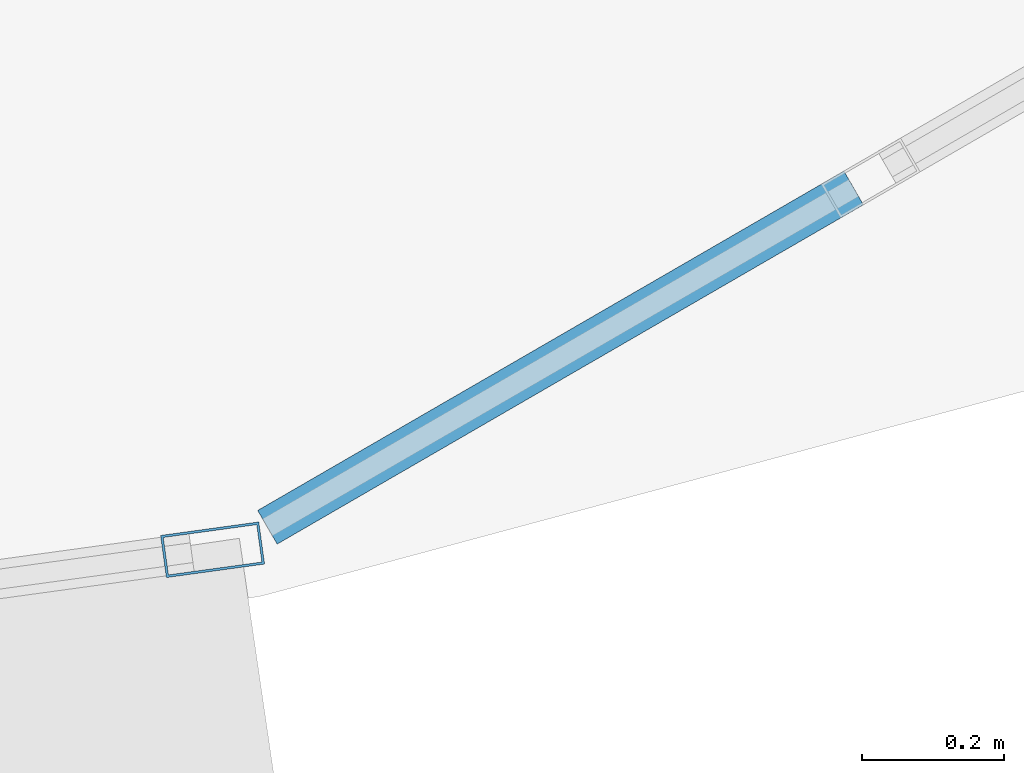
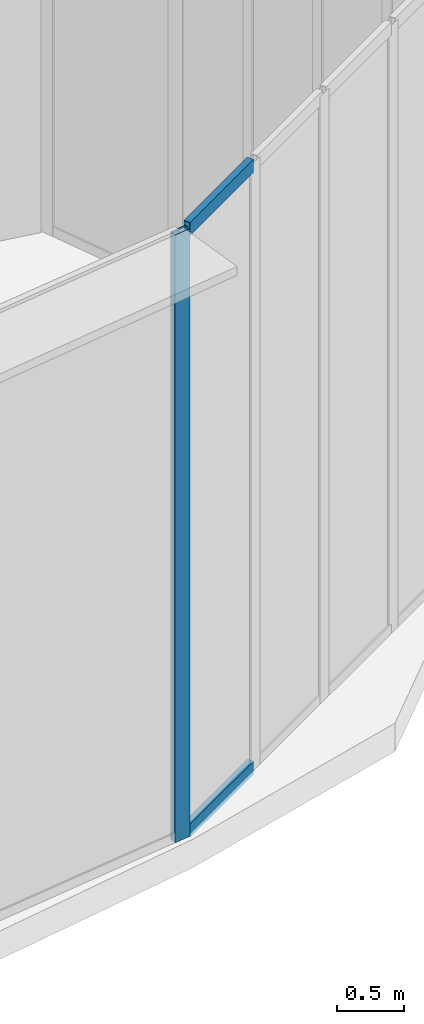
# One storey, part 14 of 38: 3 members, 2 elements without a shape of their own.
"""IFC4 building model written with IfcOpenShell, lengths in metres."""

from ifc_helpers import new_model, si_unit, direction, frame, origin, origin_2d, place, context, subcontext, project, spatial, hollow_rectangle, extrude, source, transform, mapped, material, layer, layer_set, material_profile, profile_set, type_object, element, aggregate, save


model = new_model("IFC4")

# Units and contexts
model_context = context("Model", 3, precision=1e-05, world=origin(), true_north=direction((0.0, 1.0)))
body_context = subcontext(model_context, "Body", "Model", "MODEL_VIEW")
ifc_project = project(units=[si_unit("LENGTHUNIT", "METRE"), si_unit("AREAUNIT", "SQUARE_METRE"), si_unit("VOLUMEUNIT", "CUBIC_METRE"), si_unit("PLANEANGLEUNIT", "RADIAN"), si_unit("MASSUNIT", "GRAM", prefix="KILO"), si_unit("THERMODYNAMICTEMPERATUREUNIT", "KELVIN"), si_unit("POWERUNIT", "WATT")], contexts=[model_context])

# Site, building, storey
site_placement = place(None, origin())
site = spatial("IfcSite", under=ifc_project, at=site_placement, CompositionType="ELEMENT")
building_placement = place(site_placement, origin())
building = spatial("IfcBuilding", under=site, at=building_placement, Name="Yunzhuo Pagoda Commons", CompositionType="ELEMENT")
storey_placement = place(building_placement, frame((0.0, 0.0, 266.909912109375)))
storey = spatial("IfcBuildingStorey", under=building, at=storey_placement, Name="L67", CompositionType="ELEMENT", Elevation=266.909912109375)

# Curtain wall, members
ifc_material = material(Name="Anodized aluminium 6063-T6", Category="aluminium")
ifc_layer_1 = layer(ifc_material, 0.1298828125)
ifc_layer_set_1 = layer_set([ifc_layer_1], Name="Anodized aluminium 6063-T6")
curtain_wall_type_1 = type_object("IfcCurtainWallType", Name="CW-VTX Rounded Corner Curtain Wall", PredefinedType="NOTDEFINED", material=ifc_layer_set_1)
curtain_wall_1_placement = place(storey_placement, origin())
curtain_wall_1 = element("IfcCurtainWall", 1, at=curtain_wall_1_placement, inside=storey, type_object=curtain_wall_type_1, Name="L67 curtain wall CW-L67-VTX2S1", PredefinedType="NOTDEFINED")
ifc_material_profile_1 = material_profile(ifc_material, hollow_rectangle(XDim=0.054931640625, YDim=0.1201171875, WallThickness=0.00341796875, at=origin_2d()), Name="Anodized aluminium 6063-T6")
ifc_profile_set_1 = profile_set([ifc_material_profile_1], Name="Anodized aluminium 6063-T6")
member_type_1 = type_object("IfcMemberType", Name="CW-VTX-T Transom RHS 120x55x3.5", PredefinedType="USERDEFINED", material=ifc_profile_set_1)
shared_shape_1 = source(origin(), body_context, "Body", "SweptSolid", [
    extrude(hollow_rectangle(XDim=0.054931640625, YDim=0.1201171875, WallThickness=0.00341796875, at=origin_2d()), origin(), (0.0, 0.0, 1.0), 0.955810546875),
])
member_1_placement = place(storey_placement, frame((77.974609375, 20.451171875, 0.027587890625), z_axis=(0.86547874954, 0.50094563986, 0.0), x_axis=(-0.50094563986, 0.86547874954, 0.0)))
member_1 = element("IfcMember", 2, at=member_1_placement, type_object=member_type_1, Name="CW transom 1.1", ObjectType="TRANSOM", PredefinedType="USERDEFINED", context=body_context, shape_type="MappedRepresentation", body=[
    mapped(shared_shape_1, transform((0.0, 0.0, 0.0), scale=1.0)),
])
member_2_placement = place(storey_placement, frame((77.974609375, 20.451171875, 5.54248046875), z_axis=(0.86547874954, 0.50094563986, 0.0), x_axis=(-0.50094563986, 0.86547874954, 0.0)))
member_2 = element("IfcMember", 3, at=member_2_placement, type_object=member_type_1, Name="CW transom 1.2", ObjectType="TRANSOM", PredefinedType="USERDEFINED", context=body_context, shape_type="MappedRepresentation", body=[
    mapped(shared_shape_1, transform((0.0, 0.0, 0.0), scale=1.0)),
])
aggregate(curtain_wall_1, [member_1, member_2])

# Curtain wall, member
ifc_layer_2 = layer(ifc_material, 0.139892578125)
ifc_layer_set_2 = layer_set([ifc_layer_2], Name="Anodized aluminium 6063-T6")
curtain_wall_type_2 = type_object("IfcCurtainWallType", Name="CW-HI High-Zone Ribbon Curtain Wall", PredefinedType="NOTDEFINED", material=ifc_layer_set_2)
curtain_wall_2_placement = place(storey_placement, origin())
curtain_wall_2 = element("IfcCurtainWall", 4, at=curtain_wall_2_placement, inside=storey, type_object=curtain_wall_type_2, Name="L67 curtain wall CW-L67-F1B5", PredefinedType="NOTDEFINED")
ifc_material_profile_2 = material_profile(ifc_material, hollow_rectangle(XDim=0.06005859375, YDim=0.139892578125, WallThickness=0.00341796875, at=origin_2d()), Name="Anodized aluminium 6063-T6")
ifc_profile_set_2 = profile_set([ifc_material_profile_2], Name="Anodized aluminium 6063-T6")
member_type_2 = type_object("IfcMemberType", Name="CW-HI-M Mullion RHS 140x60x3.5", PredefinedType="MULLION", material=ifc_profile_set_2)
shared_shape_2 = source(origin(), body_context, "Body", "SweptSolid", [
    extrude(hollow_rectangle(XDim=0.06005859375, YDim=0.139892578125, WallThickness=0.00341796875, at=origin_2d()), origin(), (0.0, 0.0, 1.0), 5.5703125),
])
member_3_placement = place(storey_placement, frame((77.897216796875, 20.41943359375, 0.0), z_axis=(0.0, 0.0, 1.0), x_axis=(-0.136099051399, 0.990695234776, 0.0)))
member_3 = element("IfcMember", 5, at=member_3_placement, type_object=member_type_2, Name="CW mullion 2", PredefinedType="MULLION", context=body_context, shape_type="MappedRepresentation", body=[
    mapped(shared_shape_2, transform((0.0, 0.0, 0.0), scale=1.0)),
])
aggregate(curtain_wall_2, [member_3])

save(model, "model.ifc")
